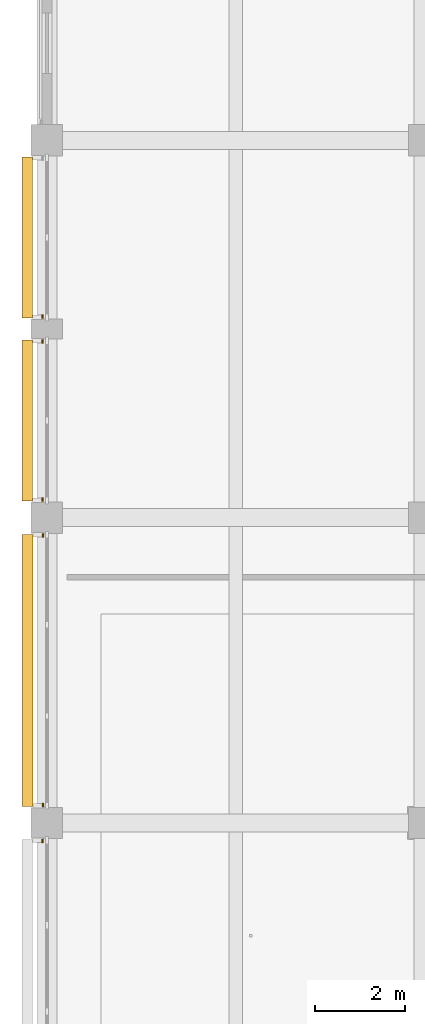
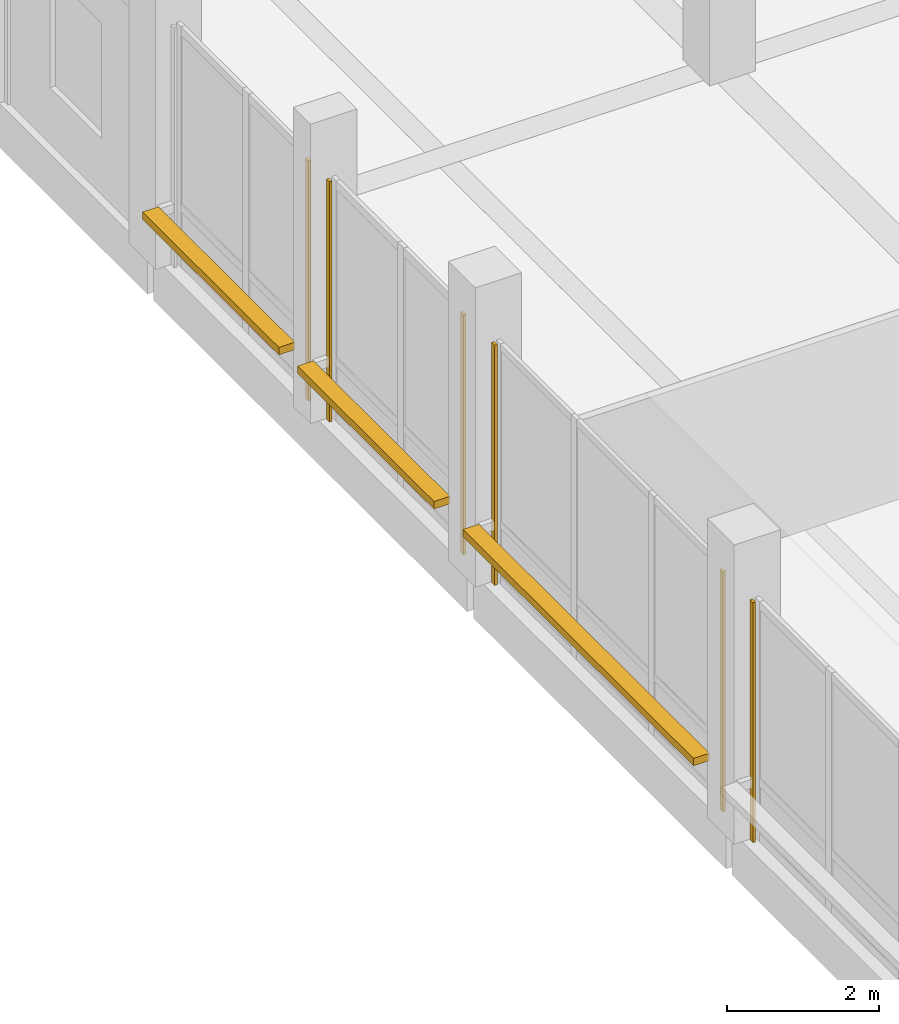
# One storey, part 96 of 128: 6 coverings, 3 shading devices.
"""IFC4 building model written with IfcOpenShell, lengths in metres."""

from ifc_helpers import new_model, si_unit, direction, frame, origin, origin_2d, place, context, subcontext, project, spatial, rectangle, extrude, material, layer, layer_set, type_object, element, save


model = new_model("IFC4")

# Units and contexts
model_context = context("Model", 3, precision=1e-05, world=origin(), true_north=direction((0.0, 1.0)))
body_context = subcontext(model_context, "Body", "Model", "MODEL_VIEW")
ifc_project = project(units=[si_unit("LENGTHUNIT", "METRE"), si_unit("AREAUNIT", "SQUARE_METRE"), si_unit("VOLUMEUNIT", "CUBIC_METRE"), si_unit("PLANEANGLEUNIT", "RADIAN"), si_unit("MASSUNIT", "GRAM", prefix="KILO")], contexts=[model_context])

# Site, building, storey
site_placement = place(None, origin())
site = spatial("IfcSite", under=ifc_project, at=site_placement, CompositionType="ELEMENT")
building_placement = place(site_placement, origin())
building = spatial("IfcBuilding", under=site, at=building_placement, Name="Telukmera Botanical Conservatory", CompositionType="ELEMENT")
storey_placement = place(building_placement, frame((0.0, 0.0, 5.39990234375)))
storey = spatial("IfcBuildingStorey", under=building, at=storey_placement, Name="L01", CompositionType="ELEMENT", Elevation=5.39990234375)

# Coverings
ifc_material_1 = material(Name="Granite-faced precast concrete C40/50", Category="masonry")
ifc_layer_1 = layer(ifc_material_1, 0.0400390625)
ifc_layer_set_1 = layer_set([ifc_layer_1], Name="Granite-faced precast concrete C40/50")
covering_type = type_object("IfcCoveringType", Name="Granite Precast Column Pier Reveal Casing", PredefinedType="CLADDING", material=ifc_layer_set_1)
for number, where, z_axis, x_axis, name in (
    (1, (8.300048828125, 42.39794921875, 0.0), (0.0, 0.0, 1.0), (0.0, 1.0, 0.0), "Granite Pier Reveal V3:L01:W3 R"),
    (2, (8.31005859375, 43.201904296875, 0.0), (0.0, 0.0, 1.0), (0.0, 1.0, 0.0), "Granite Pier Reveal V3:L01:W4 L"),
    (3, (8.31005859375, 49.197998046875, 0.0), (0.0, 0.0, 1.0), (0.0, 1.0, 0.0), "Granite Pier Reveal V3:L01:W4 R"),
    (4, (8.300048828125, 50.001953125, 0.0), (0.0, 0.0, 1.0), (0.0, 1.0, 0.0), "Granite Pier Reveal V3:L01:W5A L"),
    (5, (8.300048828125, 53.52294921875, 0.0), (0.0, 0.0, 1.0), (0.0, 1.0, 0.0), "Granite Pier Reveal V3:L01:W5A R"),
    (6, (8.300048828125, 54.076904296875, 0.0), (0.0, 0.0, 1.0), (0.0, 1.0, 0.0), "Granite Pier Reveal V3:L01:W5B L"),
):
    element("IfcCovering", number, at=place(storey_placement, frame(where, z_axis=z_axis, x_axis=x_axis)), inside=storey, type_object=covering_type, Name=name, PredefinedType="CLADDING", context=body_context, shape_type="SweptSolid", body=[
        extrude(rectangle(XDim=0.080078125, YDim=0.0400390625, at=origin_2d()), origin(), (0.0, 0.0, 1.0), 3.85009765625),
    ])

# Shading devices
ifc_material_2 = material(Name="Perforated terracotta-anodised aluminium 6063-T6", Category="masonry")
ifc_layer_2 = layer(ifc_material_2, 0.044921875)
ifc_layer_set_2 = layer_set([ifc_layer_2], Name="Perforated terracotta-anodised aluminium 6063-T6")
shading_device_type = type_object("IfcShadingDeviceType", Name="Perforated Terracotta Aluminium Monsoon Brise Soleil", PredefinedType="JALOUSIE", material=ifc_layer_set_2)
shading_device_placement = place(storey_placement, frame((7.969970703125, 46.199951171875, 0.89013671875), z_axis=(0.0, 0.0, 1.0), x_axis=(0.0, 1.0, 0.0)))
element("IfcShadingDevice", 7, at=shading_device_placement, inside=storey, type_object=shading_device_type, Name="Monsoon Shading BS01 V3:L01:W4", PredefinedType="JALOUSIE", context=body_context, shape_type="SweptSolid", body=[
    extrude(rectangle(XDim=6.055908203125, YDim=0.239990234375, at=origin_2d()), origin(), (0.0, 0.0, 1.0), 0.1201171875),
])
for number, where, z_axis, x_axis, name in (
    (8, (7.9599609375, 51.762451171875, 0.89013671875), (0.0, 0.0, 1.0), (0.0, 1.0, 0.0), "Monsoon Shading BS01 V3:L01:W5A"),
    (9, (7.9599609375, 55.83740234375, 0.89013671875), (0.0, 0.0, 1.0), (0.0, 1.0, 0.0), "Monsoon Shading BS01 V3:L01:W5B"),
):
    element("IfcShadingDevice", number, at=place(storey_placement, frame(where, z_axis=z_axis, x_axis=x_axis)), inside=storey, type_object=shading_device_type, Name=name, PredefinedType="JALOUSIE", context=body_context, shape_type="SweptSolid", body=[
        extrude(rectangle(XDim=3.5810546875, YDim=0.239990234375, at=origin_2d()), origin(), (0.0, 0.0, 1.0), 0.1201171875),
    ])

save(model, "model.ifc")
